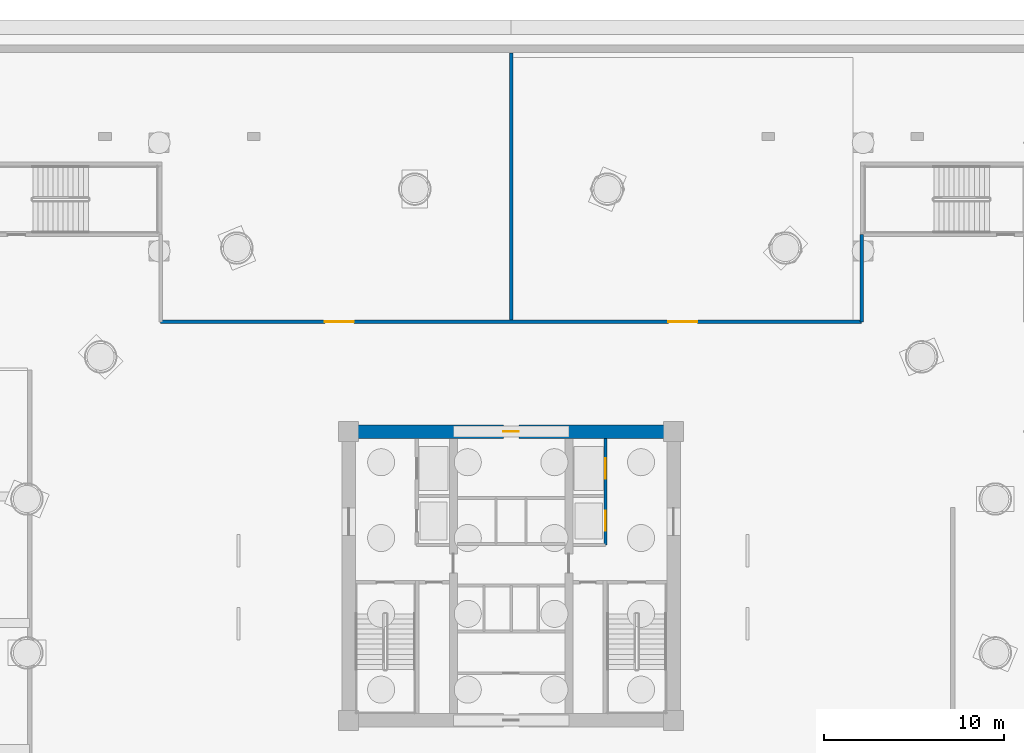
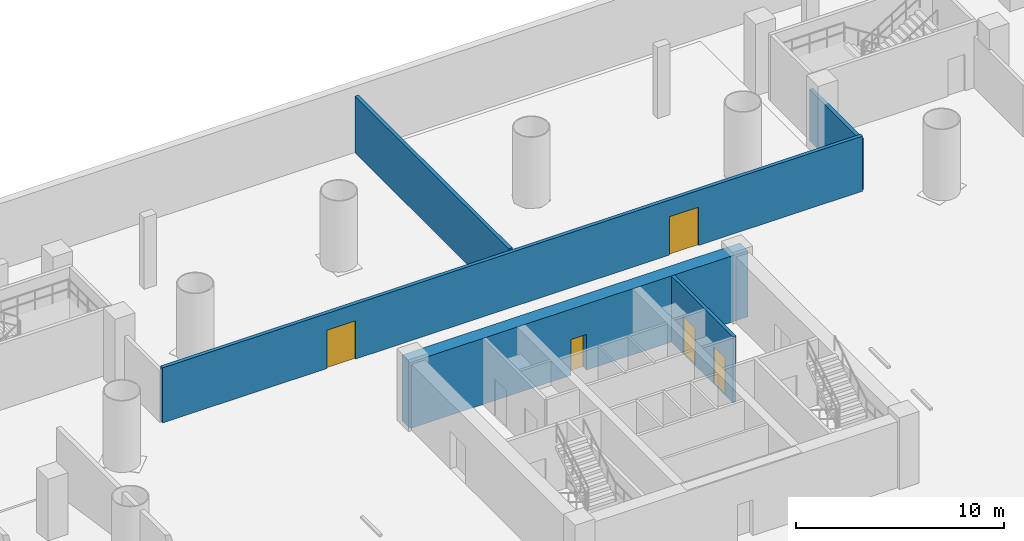
# One storey, part 4 of 11: 5 doors, 5 walls, 5 openings.
"""IFC4 building model written with IfcOpenShell, lengths in metres."""

from ifc_helpers import new_model, si_unit, direction, frame, frame_2d, origin, place, context, subcontext, project, spatial, rectangle, extrude, source, transform, mapped, material, layer, layer_set, type_object, element, fill, save


model = new_model("IFC4")

# Units and contexts
model_context = context("Model", 3, precision=1e-05, world=origin(), true_north=direction((-0.2419218956, 0.970295726276)))
body_context = subcontext(model_context, "Body", "Model", "MODEL_VIEW")
ifc_project = project(units=[si_unit("LENGTHUNIT", "METRE"), si_unit("AREAUNIT", "SQUARE_METRE"), si_unit("VOLUMEUNIT", "CUBIC_METRE"), si_unit("PLANEANGLEUNIT", "RADIAN"), si_unit("MASSUNIT", "GRAM", prefix="KILO")], contexts=[model_context])

# Site, building, storey
site_placement = place(None, origin())
site = spatial("IfcSite", under=ifc_project, at=site_placement, CompositionType="ELEMENT")
building_placement = place(site_placement, origin())
building = spatial("IfcBuilding", under=site, at=building_placement, Name="Cobrevalo Terracotta Tower", CompositionType="ELEMENT")
storey_placement = place(building_placement, frame((0.0, 0.0, -8.39990234375)))
storey = spatial("IfcBuildingStorey", under=building, at=storey_placement, Name="B02", CompositionType="ELEMENT", Elevation=-8.39990234375)

# Wall, opening, door
ifc_material_1 = material(Name="Concrete C60", Category="concrete")
ifc_layer_1 = layer(ifc_material_1, 0.75)
ifc_layer_set_1 = layer_set([ifc_layer_1], Name="Concrete C60")
wall_type_1 = type_object("IfcWallType", Name="Core shear wall 750 mm Concrete C60", PredefinedType="SHEAR", material=ifc_layer_set_1)
wall_1_placement = place(storey_placement, frame((28.625, 34.800048828125, 0.0), z_axis=(0.0, 0.0, 1.0), x_axis=(1.0, 0.0, 0.0)))
wall_1 = element("IfcWall", 1, at=wall_1_placement, inside=storey, type_object=wall_type_1, Name="B02 north core shear wall", PredefinedType="SHEAR", context=body_context, shape_type="SweptSolid", body=[
    extrude(rectangle(XDim=18.75, YDim=0.75, at=frame_2d((9.375, 0.0))), origin(), (0.0, 0.0, 1.0), 3.8798828125),
])
opening_1_placement = place(wall_1_placement, frame((8.949951171875, 0.0, 0.0)))
opening_1 = element("IfcOpeningElement", 2, at=opening_1_placement, cuts=wall_1, Name="Opening ID-22", PredefinedType="OPENING", context=body_context, shape_type="SweptSolid", body=[
    extrude(rectangle(XDim=0.85009765625, YDim=2.10009765625, at=frame_2d((0.425048828125, 1.050048828125))), frame((0.0, 0.385009765625, 0.0), z_axis=(0.0, -1.0, 0.0), x_axis=(1.0, 0.0, 0.0)), (0.0, 0.0, 1.0), 0.77001953125),
])
ifc_material_2 = material(Name="Powder-coated steel", Category="steel")
door_type_1 = type_object("IfcDoorType", Name="Riser shaft & meter closet fire access door 850x2100 EI 60", OperationType="NOTDEFINED", PredefinedType="DOOR", material=ifc_material_2)
shared_shape_1 = source(origin(), body_context, "Body", "SweptSolid", [
    extrude(rectangle(XDim=0.85009765625, YDim=2.10009765625, at=frame_2d((0.425048828125, 1.050048828125))), frame((0.0, 0.02490234375, 0.0), z_axis=(0.0, -1.0, 0.0), x_axis=(1.0, 0.0, 0.0)), (0.0, 0.0, 1.0), 0.050048828125),
])
door_1_placement = place(opening_1_placement, frame((0.85009765625, 0.0, 0.0), z_axis=(0.0, 0.0, 1.0), x_axis=(-1.0, 0.0, 0.0)))
door_1 = element("IfcDoor", 3, at=door_1_placement, inside=storey, type_object=door_type_1, Name="B02 core north service door Floor Electrical Switchroom", OperationType="SINGLE_SWING_LEFT", OverallHeight=2.10009765625, OverallWidth=0.85009765625, PredefinedType="DOOR", context=body_context, shape_type="MappedRepresentation", body=[
    mapped(shared_shape_1, transform((0.0, 0.0, 0.0), scale=1.0)),
])
fill(opening_1, door_1)

# Wall, openings, doors
ifc_material_3 = material(Name="Gypsum board on steel stud", Category="steel")
ifc_layer_2 = layer(ifc_material_3, 0.179931640625)
ifc_layer_set_2 = layer_set([ifc_layer_2], Name="Gypsum board on steel stud")
wall_type_2 = type_object("IfcWallType", Name="Fire-rated shaft & lobby acoustic partition wall 180 mm", PredefinedType="PARTITIONING", material=ifc_layer_set_2)
wall_2_placement = place(storey_placement, frame((43.22998046875, 28.52001953125, 0.0), z_axis=(0.0, 0.0, 1.0), x_axis=(0.0, 1.0, 0.0)))
wall_2 = element("IfcWall", 4, at=wall_2_placement, inside=storey, type_object=wall_type_2, Name="B02 interior partition IW-B02-FF2-E", PredefinedType="PARTITIONING", context=body_context, shape_type="SweptSolid", body=[
    extrude(rectangle(XDim=5.905029296875, YDim=0.179931640625, at=frame_2d((2.95263671875, 0.0))), origin(), (0.0, 0.0, 1.0), 3.8798828125),
])
opening_2_placement = place(wall_2_placement, frame((3.655029296875, 0.0, 0.0)))
opening_2 = element("IfcOpeningElement", 5, at=opening_2_placement, cuts=wall_2, Name="Opening LD-02", PredefinedType="OPENING", context=body_context, shape_type="SweptSolid", body=[
    extrude(rectangle(XDim=1.14990234375, YDim=2.199951171875, at=frame_2d((0.574951171875, 1.10009765625))), frame((0.0, 0.10009765625, 0.0), z_axis=(0.0, -1.0, 0.0), x_axis=(1.0, 0.0, 0.0)), (0.0, 0.0, 1.0), 0.199951171875),
])
opening_3_placement = place(wall_2_placement, frame((0.780029296875, 0.0, 0.0)))
opening_3 = element("IfcOpeningElement", 6, at=opening_3_placement, cuts=wall_2, Name="Opening LD-01", PredefinedType="OPENING", context=body_context, shape_type="SweptSolid", body=[
    extrude(rectangle(XDim=1.10009765625, YDim=2.199951171875, at=frame_2d((0.550048828125, 1.10009765625))), frame((0.0, 0.10009765625, 0.0), z_axis=(0.0, -1.0, 0.0), x_axis=(1.0, 0.0, 0.0)), (0.0, 0.0, 1.0), 0.199951171875),
])
ifc_material_4 = material(Name="Brushed stainless steel", Category="steel")
door_type_2 = type_object("IfcDoorType", Name="Firefighting lift landing bi-parting sliding door 1150x2200 EI 120", OperationType="DOUBLE_DOOR_SLIDING", PredefinedType="DOOR", material=ifc_material_4)
shared_shape_2 = source(origin(), body_context, "Body", "SweptSolid", [
    extrude(rectangle(XDim=1.14990234375, YDim=2.199951171875, at=frame_2d((0.574951171875, 1.10009765625))), frame((0.0, 0.02490234375, 0.0), z_axis=(0.0, -1.0, 0.0), x_axis=(1.0, 0.0, 0.0)), (0.0, 0.0, 1.0), 0.050048828125),
])
door_2_placement = place(opening_2_placement, origin())
door_2 = element("IfcDoor", 7, at=door_2_placement, inside=storey, type_object=door_type_2, Name="B02 lift landing door FF-2", OperationType="DOUBLE_DOOR_SLIDING", OverallHeight=2.199951171875, OverallWidth=1.14990234375, PredefinedType="DOOR", context=body_context, shape_type="MappedRepresentation", body=[
    mapped(shared_shape_2, transform((0.0, 0.0, 0.0), scale=1.0)),
])
fill(opening_2, door_2)
door_type_3 = type_object("IfcDoorType", Name="Passenger lift landing bi-parting sliding door 1100x2200 EI 90", OperationType="DOUBLE_DOOR_SLIDING", PredefinedType="DOOR", material=ifc_material_4)
shared_shape_3 = source(origin(), body_context, "Body", "SweptSolid", [
    extrude(rectangle(XDim=1.10009765625, YDim=2.199951171875, at=frame_2d((0.550048828125, 1.10009765625))), frame((0.0, 0.02490234375, 0.0), z_axis=(0.0, -1.0, 0.0), x_axis=(1.0, 0.0, 0.0)), (0.0, 0.0, 1.0), 0.050048828125),
])
door_3_placement = place(opening_3_placement, origin())
door_3 = element("IfcDoor", 8, at=door_3_placement, inside=storey, type_object=door_type_3, Name="B02 lift landing door PL-P1", OperationType="DOUBLE_DOOR_SLIDING", OverallHeight=2.199951171875, OverallWidth=1.10009765625, PredefinedType="DOOR", context=body_context, shape_type="MappedRepresentation", body=[
    mapped(shared_shape_3, transform((0.0, 0.0, 0.0), scale=1.0)),
])
fill(opening_3, door_3)

ifc_material_5 = material(Name="Autoclaved aerated concrete block", Category="concrete")
ifc_layer_3 = layer(ifc_material_5, 0.199951171875)
ifc_layer_set_3 = layer_set([ifc_layer_3], Name="Autoclaved aerated concrete block")
wall_type_3 = type_object("IfcWallType", Name="Fire-rated stair, shaft & demising masonry wall 200 mm", PredefinedType="PARTITIONING", material=ifc_layer_set_3)
wall_3_placement = place(storey_placement, frame((18.580078125, 40.8798828125, 0.0), z_axis=(0.0, 0.0, 1.0), x_axis=(1.0, 0.0, 0.0)))
wall_3 = element("IfcWall", 9, at=wall_3_placement, inside=storey, type_object=wall_type_3, Name="B02 interior partition IW-B02-BN-2", PredefinedType="PARTITIONING", context=body_context, shape_type="SweptSolid", body=[
    extrude(rectangle(XDim=38.83984375, YDim=0.199951171875, at=frame_2d((19.419921875, 0.0))), origin(), (0.0, 0.0, 1.0), 3.22998046875),
])
opening_4_placement = place(wall_3_placement, frame((9.10498046875, 0.0, 0.0)))
opening_4 = element("IfcOpeningElement", 10, at=opening_4_placement, cuts=wall_3, Name="Opening ID-06", PredefinedType="OPENING", context=body_context, shape_type="SweptSolid", body=[
    extrude(rectangle(XDim=1.60009765625, YDim=2.25, at=frame_2d((0.800048828125, 1.125))), frame((0.0, 0.10986328125, 0.0), z_axis=(0.0, -1.0, 0.0), x_axis=(1.0, 0.0, 0.0)), (0.0, 0.0, 1.0), 0.219970703125),
])
opening_5_placement = place(wall_3_placement, frame((28.135009765625, 0.0, 0.0)))
opening_5 = element("IfcOpeningElement", 11, at=opening_5_placement, cuts=wall_3, Name="Opening ID-06", PredefinedType="OPENING", context=body_context, shape_type="SweptSolid", body=[
    extrude(rectangle(XDim=1.60009765625, YDim=2.25, at=frame_2d((0.800048828125, 1.125))), frame((0.0, 0.10986328125, 0.0), z_axis=(0.0, -1.0, 0.0), x_axis=(1.0, 0.0, 0.0)), (0.0, 0.0, 1.0), 0.219970703125),
])
ifc_material_6 = material(Name="Galvanized fire-rated steel", Category="steel")
door_type_4 = type_object("IfcDoorType", Name="Plant & mechanical room double fire door 1600x2250 EI 90", OperationType="NOTDEFINED", PredefinedType="DOOR", material=ifc_material_6)
shared_shape_4 = source(origin(), body_context, "Body", "SweptSolid", [
    extrude(rectangle(XDim=1.60009765625, YDim=2.25, at=frame_2d((0.800048828125, 1.125))), frame((0.0, 0.02490234375, 0.0), z_axis=(0.0, -1.0, 0.0), x_axis=(1.0, 0.0, 0.0)), (0.0, 0.0, 1.0), 0.050048828125),
])
door_4_placement = place(opening_4_placement, origin())
door_4 = element("IfcDoor", 12, at=door_4_placement, inside=storey, type_object=door_type_4, Name="Domestic Water Booster Plant door", OperationType="DOUBLE_DOOR_SINGLE_SWING", OverallHeight=2.25, OverallWidth=1.60009765625, PredefinedType="DOOR", context=body_context, shape_type="MappedRepresentation", body=[
    mapped(shared_shape_4, transform((0.0, 0.0, 0.0), scale=1.0)),
])
fill(opening_4, door_4)
door_5_placement = place(opening_5_placement, origin())
door_5 = element("IfcDoor", 13, at=door_5_placement, inside=storey, type_object=door_type_4, Name="Stormwater Detention Plant door", OperationType="DOUBLE_DOOR_SINGLE_SWING", OverallHeight=2.25, OverallWidth=1.60009765625, PredefinedType="DOOR", context=body_context, shape_type="MappedRepresentation", body=[
    mapped(shared_shape_4, transform((0.0, 0.0, 0.0), scale=1.0)),
])
fill(opening_5, door_5)

# Walls
wall_4_placement = place(storey_placement, frame((57.419921875, 40.8798828125, 0.0), z_axis=(0.0, 0.0, 1.0), x_axis=(0.0, 1.0, 0.0)))
element("IfcWall", 14, at=wall_4_placement, inside=storey, type_object=wall_type_3, Name="B02 interior partition IW-B02-BN-2E", PredefinedType="PARTITIONING", context=body_context, shape_type="SweptSolid", body=[
    extrude(rectangle(XDim=4.840087890625, YDim=0.199951171875, at=frame_2d((2.419921875, 0.0))), origin(), (0.0, 0.0, 1.0), 3.014892578125),
])
wall_5_placement = place(storey_placement, frame((38.0, 40.98193359375, 0.0), z_axis=(0.0, 0.0, 1.0), x_axis=(0.0, 1.0, 0.0)))
element("IfcWall", 15, at=wall_5_placement, inside=storey, type_object=wall_type_3, Name="B02 interior partition IW-B02-BN-M", PredefinedType="PARTITIONING", context=body_context, shape_type="SweptSolid", body=[
    extrude(rectangle(XDim=14.7880859375, YDim=0.199951171875, at=frame_2d((7.39404296875, 0.0))), origin(), (0.0, 0.0, 1.0), 3.322021484375),
])

save(model, "model.ifc")
